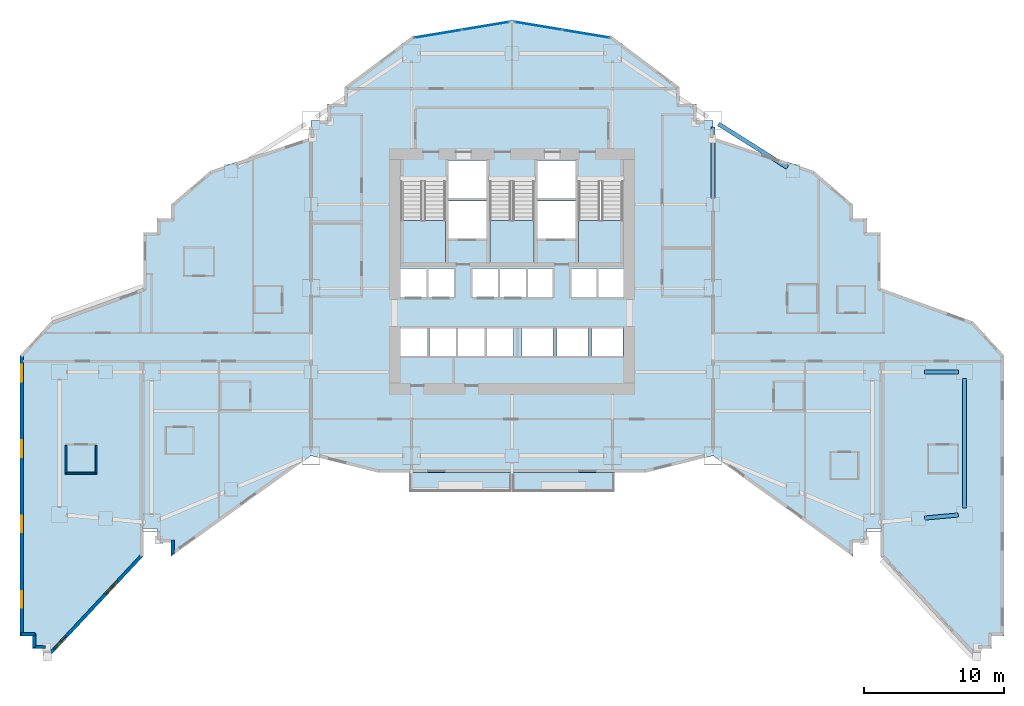
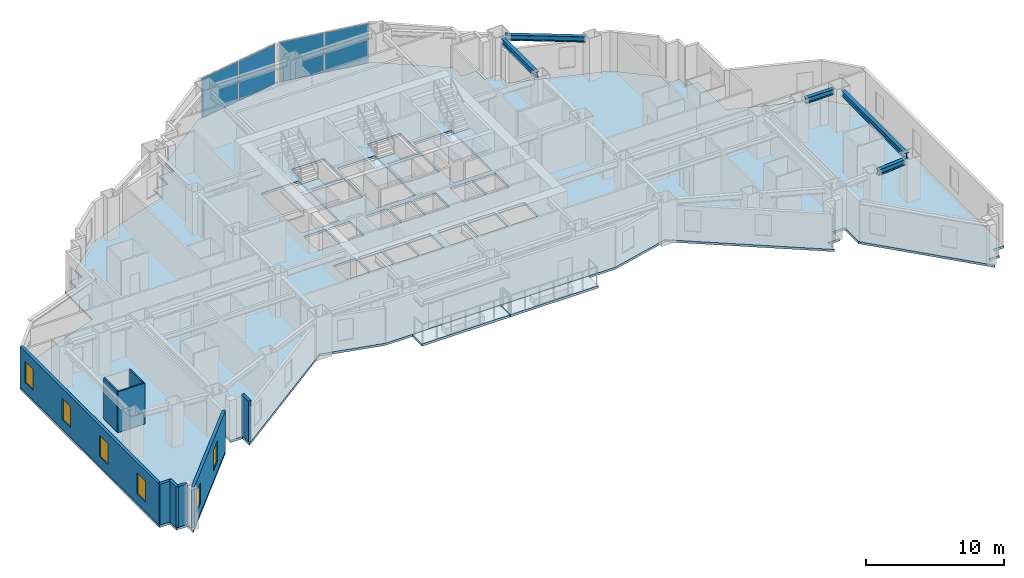
# One storey, part 6 of 17: 9 walls, 6 slabs, 6 windows, 5 beams, 4 plates, 6 openings, 5 elements without a shape of their own.
"""IFC4 building model written with IfcOpenShell, lengths in metres."""

from ifc_helpers import new_model, si_unit, direction, frame, frame_2d, origin, origin_2d, place, context, subcontext, project, spatial, polyline, rectangle, i_section, outline, extrude, material, layer, layer_set, material_profile, profile_set, type_object, element, fill, aggregate, save


model = new_model("IFC4")

# Units and contexts
model_context = context("Model", 3, precision=1e-05, world=origin(), true_north=direction((0.0, 1.0)))
body_context = subcontext(model_context, "Body", "Model", "MODEL_VIEW")
ifc_project = project(units=[si_unit("LENGTHUNIT", "METRE"), si_unit("AREAUNIT", "SQUARE_METRE"), si_unit("VOLUMEUNIT", "CUBIC_METRE"), si_unit("PLANEANGLEUNIT", "RADIAN"), si_unit("MASSUNIT", "GRAM", prefix="KILO")], contexts=[model_context])

# Site, building, storey
site_placement = place(None, origin())
site = spatial("IfcSite", under=ifc_project, at=site_placement, CompositionType="ELEMENT")
building_placement = place(site_placement, origin())
building = spatial("IfcBuilding", under=site, at=building_placement, Name="Haolan Belvedere Tower", CompositionType="ELEMENT")
storey_placement = place(building_placement, frame((0.0, 0.0, 27.800048828125)))
storey = spatial("IfcBuildingStorey", under=building, at=storey_placement, Name="L06", CompositionType="ELEMENT", Elevation=27.800048828125)

# Beams
ifc_material_1 = material(Name="Steel Q355B", Category="steel")
ifc_material_profile = material_profile(ifc_material_1, i_section(OverallWidth=0.300048828125, OverallDepth=0.488037109375, WebThickness=0.010986328125, FlangeThickness=0.01806640625, FilletRadius=0.02587890625, at=origin_2d()), Name="Steel Q355B")
ifc_profile_set = profile_set([ifc_material_profile], Name="Steel Q355B")
beam_type = type_object("IfcBeamType", Name="BM-HM488x300x11x18", PredefinedType="SPANDREL", material=ifc_profile_set)
beam_1_placement = place(storey_placement, frame((52.800048828125, 40.050048828125, 3.35595703125), z_axis=(0.0, 1.0, 0.0), x_axis=(-1.0, 0.0, 0.0)))
element("IfcBeam", 1, at=beam_1_placement, inside=storey, type_object=beam_type, Name="L06 spandrel girder TC-T3-E2-MC-T3-NE", PredefinedType="SPANDREL", context=body_context, shape_type="SweptSolid", body=[
    extrude(i_section(OverallWidth=0.300048828125, OverallDepth=0.488037109375, WebThickness=0.010986328125, FlangeThickness=0.01806640625, FilletRadius=0.02587890625, at=origin_2d()), origin(), (0.0, 0.0, 1.0), 5.099853515625),
])
beam_2_placement = place(storey_placement, frame((53.180419921875, 45.359619140625, 3.35595703125), z_axis=(0.845497840649, -0.533978839898, 0.0), x_axis=(0.533978839898, 0.845497840649, 0.0)))
element("IfcBeam", 2, at=beam_2_placement, inside=storey, type_object=beam_type, Name="L06 spandrel girder MC-T3-NE-TC-T4-N1", PredefinedType="SPANDREL", context=body_context, shape_type="SweptSolid", body=[
    extrude(i_section(OverallWidth=0.300048828125, OverallDepth=0.488037109375, WebThickness=0.010986328125, FlangeThickness=0.01806640625, FilletRadius=0.02587890625, at=origin_2d()), origin(), (0.0, 0.0, 1.0), 5.841796875),
])
beam_3_placement = place(storey_placement, frame((70.800048828125, 17.85009765625, 3.35595703125), z_axis=(0.0, 1.0, 0.0), x_axis=(-1.0, 0.0, 0.0)))
element("IfcBeam", 3, at=beam_3_placement, inside=storey, type_object=beam_type, Name="L06 spandrel girder MC-T5-SE-MC-T5-NE", PredefinedType="SPANDREL", context=body_context, shape_type="SweptSolid", body=[
    extrude(i_section(OverallWidth=0.300048828125, OverallDepth=0.488037109375, WebThickness=0.010986328125, FlangeThickness=0.01806640625, FilletRadius=0.02587890625, at=origin_2d()), origin(), (0.0, 0.0, 1.0), 9.2998046875),
])
beam_4_placement = place(storey_placement, frame((67.9482421875, 17.140625, 3.35595703125), z_axis=(0.995884080761, 0.090636072764, 0.0), x_axis=(-0.090636072764, 0.995884080761, 0.0)))
element("IfcBeam", 4, at=beam_4_placement, inside=storey, type_object=beam_type, Name="L06 spandrel girder TC-T5-M1-MC-T5-SE", PredefinedType="SPANDREL", context=body_context, shape_type="SweptSolid", body=[
    extrude(i_section(OverallWidth=0.300048828125, OverallDepth=0.488037109375, WebThickness=0.010986328125, FlangeThickness=0.01806640625, FilletRadius=0.02587890625, at=origin_2d()), origin(), (0.0, 0.0, 1.0), 2.41357421875),
])
beam_5_placement = place(storey_placement, frame((67.949951171875, 27.60009765625, 3.35595703125), z_axis=(1.0, 0.0, 0.0), x_axis=(0.0, 1.0, 0.0)))
element("IfcBeam", 5, at=beam_5_placement, inside=storey, type_object=beam_type, Name="L06 spandrel girder TC-T5-M2-MC-T5-NE", PredefinedType="SPANDREL", context=body_context, shape_type="SweptSolid", body=[
    extrude(i_section(OverallWidth=0.300048828125, OverallDepth=0.488037109375, WebThickness=0.010986328125, FlangeThickness=0.01806640625, FilletRadius=0.02587890625, at=origin_2d()), origin(), (0.0, 0.0, 1.0), 2.400146484375),
])

# Curtain wall, plates
ifc_material_2 = material(Name="Anodised champagne-silver aluminium 6063-T6 and Low-E glass", Category="aluminium")
ifc_layer_1 = layer(ifc_material_2, 0.1650390625, Name="Anodised champagne-silver aluminium 6063-T6 and Low-E glass")
ifc_layer_set_1 = layer_set([ifc_layer_1], Name="Anodised champagne-silver aluminium 6063-T6 and Low-E glass")
curtain_wall_type = type_object("IfcCurtainWallType", Name="CW-SYS-02", PredefinedType="NOTDEFINED", material=ifc_layer_set_1)
curtain_wall_1_placement = place(storey_placement, origin())
curtain_wall_1 = element("IfcCurtainWall", 6, at=curtain_wall_1_placement, inside=storey, type_object=curtain_wall_type, Name="L06 CW-SYS-02 ribbon curtain wall 42.1", PredefinedType="NOTDEFINED")
ifc_material_3 = material(Name="Double silver Low-E laminated insulating glass", Category="glass")
ifc_layer_2 = layer(ifc_material_3, 0.02587890625, Name="Double silver Low-E laminated insulating glass")
ifc_layer_set_2 = layer_set([ifc_layer_2], Name="Double silver Low-E laminated insulating glass")
plate_type = type_object("IfcPlateType", Name="CW-SYS-02-PNL", PredefinedType="CURTAIN_PANEL", material=ifc_layer_set_2)
plate_1_placement = place(storey_placement, frame((43.6796875, 51.79833984375, 0.05517578125), z_axis=(0.0, 0.0, 1.0), x_axis=(-0.9863931483, 0.16440364043, 0.0)))
plate_1 = element("IfcPlate", 7, at=plate_1_placement, type_object=plate_type, Name="CW-02 panel 1.1", PredefinedType="CURTAIN_PANEL", context=body_context, shape_type="SweptSolid", body=[
    extrude(rectangle(XDim=3.39501953125, YDim=0.02587890625, at=origin_2d()), origin(), (0.0, 0.0, 1.0), 3.489990234375),
])
plate_2_placement = place(storey_placement, frame((40.271728515625, 52.366455078125, 0.05517578125), z_axis=(0.0, 0.0, 1.0), x_axis=(-0.9863931483, 0.16440364043, 0.0)))
plate_2 = element("IfcPlate", 8, at=plate_2_placement, type_object=plate_type, Name="CW-02 panel 2.1", PredefinedType="CURTAIN_PANEL", context=body_context, shape_type="SweptSolid", body=[
    extrude(rectangle(XDim=3.39501953125, YDim=0.02587890625, at=origin_2d()), origin(), (0.0, 0.0, 1.0), 3.489990234375),
])
aggregate(curtain_wall_1, [plate_1, plate_2])

curtain_wall_2_placement = place(storey_placement, origin())
curtain_wall_2 = element("IfcCurtainWall", 9, at=curtain_wall_2_placement, inside=storey, type_object=curtain_wall_type, Name="L06 CW-SYS-02 ribbon curtain wall 43.1", PredefinedType="NOTDEFINED")
plate_3_placement = place(storey_placement, frame((36.5283203125, 52.366455078125, 0.05517578125), z_axis=(0.0, 0.0, 1.0), x_axis=(-0.9863931483, -0.16440364043, 0.0)))
plate_3 = element("IfcPlate", 10, at=plate_3_placement, type_object=plate_type, Name="CW-02 panel 1.1", PredefinedType="CURTAIN_PANEL", context=body_context, shape_type="SweptSolid", body=[
    extrude(rectangle(XDim=3.39501953125, YDim=0.02587890625, at=origin_2d()), origin(), (0.0, 0.0, 1.0), 3.489990234375),
])
plate_4_placement = place(storey_placement, frame((33.120361328125, 51.79833984375, 0.05517578125), z_axis=(0.0, 0.0, 1.0), x_axis=(-0.9863931483, -0.16440364043, 0.0)))
plate_4 = element("IfcPlate", 11, at=plate_4_placement, type_object=plate_type, Name="CW-02 panel 2.1", PredefinedType="CURTAIN_PANEL", context=body_context, shape_type="SweptSolid", body=[
    extrude(rectangle(XDim=3.39501953125, YDim=0.02587890625, at=origin_2d()), origin(), (0.0, 0.0, 1.0), 3.489990234375),
])
aggregate(curtain_wall_2, [plate_3, plate_4])

# Slabs
ifc_material_4 = material(Name="Concrete C40/50", Category="concrete")
ifc_layer_3 = layer(ifc_material_4, 0.2099609375, Name="Concrete C40/50")
ifc_layer_set_3 = layer_set([ifc_layer_3], Name="Concrete C40/50")
slab_type_1 = type_object("IfcSlabType", Name="SL-BAL-210", PredefinedType="FLOOR", material=ifc_layer_set_3)
slab_1_placement = place(storey_placement, frame((0.0, 0.0, -0.22998046875)))
element("IfcSlab", 12, at=slab_1_placement, inside=storey, type_object=slab_type_1, Name="L06 structural tree-planter balcony slab BAL-L06-S1", PredefinedType="FLOOR", context=body_context, shape_type="SweptSolid", body=[
    extrude(outline(polyline([(31.050048828125, 19.02001953125), (38.3798828125, 19.02001953125), (38.3798828125, 20.39990234375), (31.050048828125, 20.39990234375), (31.050048828125, 19.02001953125)])), origin(), (0.0, 0.0, 1.0), 0.2099609375),
])
slab_2_placement = place(storey_placement, frame((0.0, 0.0, -0.22998046875)))
element("IfcSlab", 13, at=slab_2_placement, inside=storey, type_object=slab_type_1, Name="L06 structural tree-planter balcony slab BAL-L06-S2", PredefinedType="FLOOR", context=body_context, shape_type="SweptSolid", body=[
    extrude(outline(polyline([(38.419921875, 19.02001953125), (45.75, 19.02001953125), (45.75, 20.39990234375), (38.419921875, 20.39990234375), (38.419921875, 19.02001953125)])), origin(), (0.0, 0.0, 1.0), 0.2099609375),
])
ifc_layer_4 = layer(ifc_material_4, 0.199951171875, Name="Concrete C40/50")
ifc_layer_set_4 = layer_set([ifc_layer_4], Name="Concrete C40/50")
slab_type_2 = type_object("IfcSlabType", Name="SL-FLR-200", PredefinedType="FLOOR", material=ifc_layer_set_4)
slab_3_placement = place(storey_placement, frame((0.0, 0.0, -0.199951171875)))
element("IfcSlab", 14, at=slab_3_placement, inside=storey, type_object=slab_type_2, Name="L06 structural floor slab", PredefinedType="FLOOR", context=body_context, shape_type="SweptSolid", body=[
    extrude(outline(polyline([(3.179931640625, 28.800048828125), (3.179931640625, 9.291015625), (3.179931640625, 8.69091796875), (4.080078125, 8.69091796875), (4.080078125, 7.791015625), (4.97998046875, 7.791015625), (4.97998046875, 6.89111328125), (12.0, 14.39990234375), (12.0, 16.39990234375), (13.0, 16.39990234375), (13.0, 15.39990234375), (14.0, 15.39990234375), (14.0, 14.39990234375), (24.0, 21.60009765625), (28.800048828125, 20.39990234375), (48.0, 20.39990234375), (52.800048828125, 21.60009765625), (62.800048828125, 14.39990234375), (62.800048828125, 15.39990234375), (63.800048828125, 15.39990234375), (63.800048828125, 16.39990234375), (64.800048828125, 16.39990234375), (64.800048828125, 14.39990234375), (71.820068359375, 6.89111328125), (71.820068359375, 7.791015625), (72.719970703125, 7.791015625), (72.719970703125, 8.69091796875), (73.6201171875, 8.69091796875), (73.6201171875, 28.800048828125), (71.419921875, 31.199951171875), (64.800048828125, 33.60009765625), (64.800048828125, 37.60009765625), (63.800048828125, 37.60009765625), (63.800048828125, 38.60009765625), (62.800048828125, 38.60009765625), (62.800048828125, 39.60009765625), (60.0, 42.0), (52.800048828125, 44.39990234375), (52.800048828125, 45.60009765625), (51.60009765625, 45.60009765625), (51.60009765625, 46.800048828125), (50.39990234375, 46.800048828125), (50.39990234375, 48.0), (45.60009765625, 51.60009765625), (38.39990234375, 52.800048828125), (31.199951171875, 51.60009765625), (26.39990234375, 48.0), (26.39990234375, 46.800048828125), (25.199951171875, 46.800048828125), (25.199951171875, 45.60009765625), (24.0, 45.60009765625), (24.0, 44.39990234375), (16.800048828125, 42.0), (14.0, 39.60009765625), (14.0, 38.60009765625), (13.0, 38.60009765625), (13.0, 37.60009765625), (12.0, 37.60009765625), (12.0, 33.60009765625), (5.3798828125, 31.199951171875), (3.179931640625, 28.800048828125)]), holes=[polyline([(30.449951171875, 41.22998046875), (30.449951171875, 35.449951171875), (33.6298828125, 35.449951171875), (33.6298828125, 41.22998046875), (30.449951171875, 41.22998046875)]), polyline([(36.81005859375, 41.22998046875), (36.81005859375, 35.449951171875), (39.989990234375, 35.449951171875), (39.989990234375, 41.22998046875), (36.81005859375, 41.22998046875)]), polyline([(43.169921875, 41.22998046875), (43.169921875, 35.449951171875), (46.35009765625, 35.449951171875), (46.35009765625, 41.22998046875), (43.169921875, 41.22998046875)]), polyline([(33.830078125, 40.050048828125), (36.610107421875, 40.050048828125), (36.610107421875, 42.75), (33.830078125, 42.75), (33.830078125, 40.050048828125)]), polyline([(33.830078125, 37.14990234375), (36.610107421875, 37.14990234375), (36.610107421875, 39.85009765625), (33.830078125, 39.85009765625), (33.830078125, 37.14990234375)]), polyline([(40.18994140625, 40.050048828125), (42.969970703125, 40.050048828125), (42.969970703125, 42.75), (40.18994140625, 42.75), (40.18994140625, 40.050048828125)]), polyline([(40.18994140625, 37.14990234375), (42.969970703125, 37.14990234375), (42.969970703125, 39.85009765625), (40.18994140625, 39.85009765625), (40.18994140625, 37.14990234375)]), polyline([(30.419921875, 32.949951171875), (32.27001953125, 32.949951171875), (32.27001953125, 35.0), (30.419921875, 35.0), (30.419921875, 32.949951171875)]), polyline([(32.409912109375, 32.949951171875), (34.260009765625, 32.949951171875), (34.260009765625, 35.0), (32.409912109375, 35.0), (32.409912109375, 32.949951171875)]), polyline([(35.56005859375, 32.949951171875), (37.409912109375, 32.949951171875), (37.409912109375, 35.0), (35.56005859375, 35.0), (35.56005859375, 32.949951171875)]), polyline([(37.550048828125, 32.949951171875), (39.39990234375, 32.949951171875), (39.39990234375, 35.0), (37.550048828125, 35.0), (37.550048828125, 32.949951171875)]), polyline([(39.5400390625, 32.949951171875), (41.389892578125, 32.949951171875), (41.389892578125, 35.0), (39.5400390625, 35.0), (39.5400390625, 32.949951171875)]), polyline([(42.6201171875, 32.949951171875), (44.469970703125, 32.949951171875), (44.469970703125, 35.0), (42.6201171875, 35.0), (42.6201171875, 32.949951171875)]), polyline([(44.580078125, 32.949951171875), (46.3798828125, 32.949951171875), (46.3798828125, 35.0), (44.580078125, 35.0), (44.580078125, 32.949951171875)]), polyline([(30.419921875, 28.75), (32.320068359375, 28.75), (32.320068359375, 30.75), (30.419921875, 30.75), (30.419921875, 28.75)]), polyline([(32.47998046875, 28.75), (34.3798828125, 28.75), (34.3798828125, 30.75), (32.47998046875, 30.75), (32.47998046875, 28.75)]), polyline([(34.5400390625, 28.75), (36.43994140625, 28.75), (36.43994140625, 30.75), (34.5400390625, 30.75), (34.5400390625, 28.75)]), polyline([(36.60009765625, 28.75), (38.5, 28.75), (38.5, 30.75), (36.60009765625, 30.75), (36.60009765625, 28.75)]), polyline([(39.10009765625, 28.75), (41.340087890625, 28.75), (41.340087890625, 30.75), (39.10009765625, 30.75), (39.10009765625, 28.75)]), polyline([(41.610107421875, 28.75), (43.85009765625, 28.75), (43.85009765625, 30.75), (41.610107421875, 30.75), (41.610107421875, 28.75)]), polyline([(44.1201171875, 28.75), (46.360107421875, 28.75), (46.360107421875, 30.75), (44.1201171875, 30.75), (44.1201171875, 28.75)])]), origin(), (0.0, 0.0, 1.0), 0.199951171875),
])

# Stair, slab
stair_type = type_object("IfcStairType", Name="STR-DL-22R-173", PredefinedType="HALF_TURN_STAIR", material=ifc_material_4)
stair_1_placement = place(storey_placement, origin())
stair_1 = element("IfcStair", 15, at=stair_1_placement, inside=storey, type_object=stair_type, Name="L06 Smokeproof Core Exit Stair ST1", PredefinedType="HALF_TURN_STAIR")
ifc_layer_5 = layer(ifc_material_4, 0.199951171875, Name="Concrete C40/50")
ifc_layer_set_5 = layer_set([ifc_layer_5], Name="Concrete C40/50")
slab_type_3 = type_object("IfcSlabType", Name="SL-LAND-200", PredefinedType="LANDING", material=ifc_layer_set_5)
slab_4_placement = place(storey_placement, frame((0.0, 0.0, 1.699951171875)))
slab_4 = element("IfcSlab", 16, at=slab_4_placement, type_object=slab_type_3, Name="ST1 landing 1", PredefinedType="LANDING", context=body_context, shape_type="SweptSolid", body=[
    extrude(outline(polyline([(30.449951171875, 38.429931640625), (30.449951171875, 35.449951171875), (33.6298828125, 35.449951171875), (33.6298828125, 38.429931640625), (30.449951171875, 38.429931640625)])), origin(), (0.0, 0.0, 1.0), 0.199951171875),
])
aggregate(stair_1, [slab_4])

stair_2_placement = place(storey_placement, origin())
stair_2 = element("IfcStair", 17, at=stair_2_placement, inside=storey, type_object=stair_type, Name="L06 Smokeproof Core Exit Stair ST3", PredefinedType="HALF_TURN_STAIR")
slab_5_placement = place(storey_placement, frame((0.0, 0.0, 1.699951171875)))
slab_5 = element("IfcSlab", 18, at=slab_5_placement, type_object=slab_type_3, Name="ST3 landing 1", PredefinedType="LANDING", context=body_context, shape_type="SweptSolid", body=[
    extrude(outline(polyline([(36.81005859375, 38.429931640625), (36.81005859375, 35.449951171875), (39.989990234375, 35.449951171875), (39.989990234375, 38.429931640625), (36.81005859375, 38.429931640625)])), origin(), (0.0, 0.0, 1.0), 0.199951171875),
])
aggregate(stair_2, [slab_5])

stair_3_placement = place(storey_placement, origin())
stair_3 = element("IfcStair", 19, at=stair_3_placement, inside=storey, type_object=stair_type, Name="L06 Smokeproof Core Exit Stair ST2", PredefinedType="HALF_TURN_STAIR")
slab_6_placement = place(storey_placement, frame((0.0, 0.0, 1.699951171875)))
slab_6 = element("IfcSlab", 20, at=slab_6_placement, type_object=slab_type_3, Name="ST2 landing 1", PredefinedType="LANDING", context=body_context, shape_type="SweptSolid", body=[
    extrude(outline(polyline([(43.169921875, 38.429931640625), (43.169921875, 35.449951171875), (46.35009765625, 35.449951171875), (46.35009765625, 38.429931640625), (43.169921875, 38.429931640625)])), origin(), (0.0, 0.0, 1.0), 0.199951171875),
])
aggregate(stair_3, [slab_6])

# Walls
ifc_material_5 = material(Name="Precast concrete C40/50", Category="concrete")
ifc_layer_6 = layer(ifc_material_5, 0.239990234375, Name="Precast concrete C40/50")
ifc_layer_set_6 = layer_set([ifc_layer_6], Name="Precast concrete C40/50")
wall_type_1 = type_object("IfcWallType", Name="WL-EXT-240", PredefinedType="SOLIDWALL", material=ifc_layer_set_6)
wall_1_placement = place(storey_placement, frame((3.2451171875, 8.81103515625, 0.0), z_axis=(0.0, 0.0, 1.0), x_axis=(1.0, 0.0, 0.0)))
element("IfcWall", 21, at=wall_1_placement, inside=storey, type_object=wall_type_1, Name="L06 pale-metal exterior spandrel wall 1.1", PredefinedType="SOLIDWALL", context=body_context, shape_type="SweptSolid", body=[
    extrude(rectangle(XDim=1.009765625, YDim=0.239990234375, at=frame_2d((0.5048828125, 0.0))), origin(), (0.0, 0.0, 1.0), 3.599853515625),
])
wall_2_placement = place(storey_placement, frame((4.199951171875, 8.865966796875, 0.0), z_axis=(0.0, 0.0, 1.0), x_axis=(0.0, -1.0, 0.0)))
element("IfcWall", 22, at=wall_2_placement, inside=storey, type_object=wall_type_1, Name="L06 pale-metal exterior spandrel wall 2.1", PredefinedType="SOLIDWALL", context=body_context, shape_type="SweptSolid", body=[
    extrude(rectangle(XDim=1.010009765625, YDim=0.239990234375, at=frame_2d((0.5048828125, 0.0))), origin(), (0.0, 0.0, 1.0), 3.599853515625),
])
wall_3_placement = place(storey_placement, frame((4.280029296875, 7.910888671875, 0.0), z_axis=(0.0, 0.0, 1.0), x_axis=(1.0, 0.0, 0.0)))
element("IfcWall", 23, at=wall_3_placement, inside=storey, type_object=wall_type_1, Name="L06 pale-metal exterior spandrel wall 3.1", PredefinedType="SOLIDWALL", context=body_context, shape_type="SweptSolid", body=[
    extrude(rectangle(XDim=0.73486328125, YDim=0.239990234375, at=frame_2d((0.367431640625, 0.0))), origin(), (0.0, 0.0, 1.0), 3.599853515625),
])

# Wall, openings, windows
wall_4_placement = place(storey_placement, frame((5.157958984375, 7.257080078125, 0.0), z_axis=(0.0, 0.0, 1.0), x_axis=(0.68291649943, 0.730496444075, 0.0)))
wall_4 = element("IfcWall", 24, at=wall_4_placement, inside=storey, type_object=wall_type_1, Name="L06 pale-metal exterior spandrel wall 5.1", PredefinedType="SOLIDWALL", context=body_context, shape_type="SweptSolid", body=[
    extrude(rectangle(XDim=9.89794921875, YDim=0.239990234375, at=frame_2d((4.948974609375, 0.0))), origin(), (0.0, 0.0, 1.0), 3.599853515625),
])
opening_1_placement = place(wall_4_placement, frame((0.699951171875, 0.0, 0.85009765625)))
opening_1 = element("IfcOpeningElement", 25, at=opening_1_placement, cuts=wall_4, Name="Opening W-01", PredefinedType="OPENING", context=body_context, shape_type="SweptSolid", body=[
    extrude(rectangle(XDim=1.199951171875, YDim=1.85009765625, at=frame_2d((0.60009765625, 0.925048828125))), frame((0.0, 0.1298828125, 0.0), z_axis=(0.0, -1.0, 0.0), x_axis=(1.0, 0.0, 0.0)), (0.0, 0.0, 1.0), 0.260009765625),
])
opening_2_placement = place(wall_4_placement, frame((6.10009765625, 0.0, 0.85009765625)))
opening_2 = element("IfcOpeningElement", 26, at=opening_2_placement, cuts=wall_4, Name="Opening W-01", PredefinedType="OPENING", context=body_context, shape_type="SweptSolid", body=[
    extrude(rectangle(XDim=1.199951171875, YDim=1.85009765625, at=frame_2d((0.60009765625, 0.925048828125))), frame((0.0, 0.1298828125, 0.0), z_axis=(0.0, -1.0, 0.0), x_axis=(1.0, 0.0, 0.0)), (0.0, 0.0, 1.0), 0.260009765625),
])
ifc_material_6 = material(Name="Anodised aluminium 6063-T6 and Low-E glass", Category="aluminium")
window_type = type_object("IfcWindowType", Name="WN-DECO-Z1", PartitioningType="SINGLE_PANEL", PredefinedType="WINDOW", material=ifc_material_6)
window_1_placement = place(opening_1_placement, origin())
window_1 = element("IfcWindow", 27, at=window_1_placement, inside=storey, type_object=window_type, Name="L06 Art Deco chevron window 1", OverallHeight=1.85009765625, OverallWidth=1.199951171875, PartitioningType="SINGLE_PANEL", PredefinedType="WINDOW", context=body_context, shape_type="SweptSolid", body=[
    extrude(rectangle(XDim=1.199951171875, YDim=1.85009765625, at=frame_2d((0.60009765625, 0.925048828125))), frame((0.0, 0.030029296875, 0.0), z_axis=(0.0, -1.0, 0.0), x_axis=(1.0, 0.0, 0.0)), (0.0, 0.0, 1.0), 0.06005859375),
])
fill(opening_1, window_1)
window_2_placement = place(opening_2_placement, origin())
window_2 = element("IfcWindow", 28, at=window_2_placement, inside=storey, type_object=window_type, Name="L06 Art Deco chevron window 2", OverallHeight=1.85009765625, OverallWidth=1.199951171875, PartitioningType="SINGLE_PANEL", PredefinedType="WINDOW", context=body_context, shape_type="SweptSolid", body=[
    extrude(rectangle(XDim=1.199951171875, YDim=1.85009765625, at=frame_2d((0.60009765625, 0.925048828125))), frame((0.0, 0.030029296875, 0.0), z_axis=(0.0, -1.0, 0.0), x_axis=(1.0, 0.0, 0.0)), (0.0, 0.0, 1.0), 0.06005859375),
])
fill(opening_2, window_2)

# Wall
wall_5_placement = place(storey_placement, frame((14.1201171875, 15.574951171875, 0.0), z_axis=(0.0, 0.0, 1.0), x_axis=(0.0, -1.0, 0.0)))
element("IfcWall", 29, at=wall_5_placement, inside=storey, type_object=wall_type_1, Name="L06 pale-metal exterior spandrel wall 10.1", PredefinedType="SOLIDWALL", context=body_context, shape_type="SweptSolid", body=[
    extrude(rectangle(XDim=0.99560546875, YDim=0.239990234375, at=frame_2d((0.497802734375, 0.0))), origin(), (0.0, 0.0, 1.0), 3.599853515625),
])

# Wall, openings, windows
wall_6_placement = place(storey_placement, frame((3.300048828125, 28.808349609375, 0.0), z_axis=(0.0, 0.0, 1.0), x_axis=(0.0, -1.0, 0.0)))
wall_6 = element("IfcWall", 30, at=wall_6_placement, inside=storey, type_object=wall_type_1, Name="L06 pale-metal exterior spandrel wall 59.1", PredefinedType="SOLIDWALL", context=body_context, shape_type="SweptSolid", body=[
    extrude(rectangle(XDim=20.05224609375, YDim=0.239990234375, at=frame_2d((10.026123046875, 0.0))), origin(), (0.0, 0.0, 1.0), 3.599853515625),
])
opening_3_placement = place(wall_6_placement, frame((0.699951171875, 0.0, 0.85009765625)))
opening_3 = element("IfcOpeningElement", 31, at=opening_3_placement, cuts=wall_6, Name="Opening W-01", PredefinedType="OPENING", context=body_context, shape_type="SweptSolid", body=[
    extrude(rectangle(XDim=1.199951171875, YDim=1.85009765625, at=frame_2d((0.60009765625, 0.925048828125))), frame((0.0, 0.1298828125, 0.0), z_axis=(0.0, -1.0, 0.0), x_axis=(1.0, 0.0, 0.0)), (0.0, 0.0, 1.0), 0.260009765625),
])
opening_4_placement = place(wall_6_placement, frame((6.10009765625, 0.0, 0.85009765625)))
opening_4 = element("IfcOpeningElement", 32, at=opening_4_placement, cuts=wall_6, Name="Opening W-01", PredefinedType="OPENING", context=body_context, shape_type="SweptSolid", body=[
    extrude(rectangle(XDim=1.199951171875, YDim=1.85009765625, at=frame_2d((0.60009765625, 0.925048828125))), frame((0.0, 0.1298828125, 0.0), z_axis=(0.0, -1.0, 0.0), x_axis=(1.0, 0.0, 0.0)), (0.0, 0.0, 1.0), 0.260009765625),
])
opening_5_placement = place(wall_6_placement, frame((11.5, 0.0, 0.85009765625)))
opening_5 = element("IfcOpeningElement", 33, at=opening_5_placement, cuts=wall_6, Name="Opening W-01", PredefinedType="OPENING", context=body_context, shape_type="SweptSolid", body=[
    extrude(rectangle(XDim=1.199951171875, YDim=1.85009765625, at=frame_2d((0.60009765625, 0.925048828125))), frame((0.0, 0.1298828125, 0.0), z_axis=(0.0, -1.0, 0.0), x_axis=(1.0, 0.0, 0.0)), (0.0, 0.0, 1.0), 0.260009765625),
])
opening_6_placement = place(wall_6_placement, frame((16.89990234375, 0.0, 0.85009765625)))
opening_6 = element("IfcOpeningElement", 34, at=opening_6_placement, cuts=wall_6, Name="Opening W-01", PredefinedType="OPENING", context=body_context, shape_type="SweptSolid", body=[
    extrude(rectangle(XDim=1.199951171875, YDim=1.85009765625, at=frame_2d((0.60009765625, 0.925048828125))), frame((0.0, 0.1298828125, 0.0), z_axis=(0.0, -1.0, 0.0), x_axis=(1.0, 0.0, 0.0)), (0.0, 0.0, 1.0), 0.260009765625),
])
window_3_placement = place(opening_3_placement, origin())
window_3 = element("IfcWindow", 35, at=window_3_placement, inside=storey, type_object=window_type, Name="L06 Art Deco chevron window 1", OverallHeight=1.85009765625, OverallWidth=1.199951171875, PartitioningType="SINGLE_PANEL", PredefinedType="WINDOW", context=body_context, shape_type="SweptSolid", body=[
    extrude(rectangle(XDim=1.199951171875, YDim=1.85009765625, at=frame_2d((0.60009765625, 0.925048828125))), frame((0.0, 0.030029296875, 0.0), z_axis=(0.0, -1.0, 0.0), x_axis=(1.0, 0.0, 0.0)), (0.0, 0.0, 1.0), 0.06005859375),
])
fill(opening_3, window_3)
window_4_placement = place(opening_4_placement, origin())
window_4 = element("IfcWindow", 36, at=window_4_placement, inside=storey, type_object=window_type, Name="L06 Art Deco chevron window 2", OverallHeight=1.85009765625, OverallWidth=1.199951171875, PartitioningType="SINGLE_PANEL", PredefinedType="WINDOW", context=body_context, shape_type="SweptSolid", body=[
    extrude(rectangle(XDim=1.199951171875, YDim=1.85009765625, at=frame_2d((0.60009765625, 0.925048828125))), frame((0.0, 0.030029296875, 0.0), z_axis=(0.0, -1.0, 0.0), x_axis=(1.0, 0.0, 0.0)), (0.0, 0.0, 1.0), 0.06005859375),
])
fill(opening_4, window_4)
window_5_placement = place(opening_5_placement, origin())
window_5 = element("IfcWindow", 37, at=window_5_placement, inside=storey, type_object=window_type, Name="L06 Art Deco chevron window 3", OverallHeight=1.85009765625, OverallWidth=1.199951171875, PartitioningType="SINGLE_PANEL", PredefinedType="WINDOW", context=body_context, shape_type="SweptSolid", body=[
    extrude(rectangle(XDim=1.199951171875, YDim=1.85009765625, at=frame_2d((0.60009765625, 0.925048828125))), frame((0.0, 0.030029296875, 0.0), z_axis=(0.0, -1.0, 0.0), x_axis=(1.0, 0.0, 0.0)), (0.0, 0.0, 1.0), 0.06005859375),
])
fill(opening_5, window_5)
window_6_placement = place(opening_6_placement, origin())
window_6 = element("IfcWindow", 38, at=window_6_placement, inside=storey, type_object=window_type, Name="L06 Art Deco chevron window 4", OverallHeight=1.85009765625, OverallWidth=1.199951171875, PartitioningType="SINGLE_PANEL", PredefinedType="WINDOW", context=body_context, shape_type="SweptSolid", body=[
    extrude(rectangle(XDim=1.199951171875, YDim=1.85009765625, at=frame_2d((0.60009765625, 0.925048828125))), frame((0.0, 0.030029296875, 0.0), z_axis=(0.0, -1.0, 0.0), x_axis=(1.0, 0.0, 0.0)), (0.0, 0.0, 1.0), 0.06005859375),
])
fill(opening_6, window_6)

# Walls
ifc_material_7 = material(Name="Moisture-resistant gypsum tile partition", Category="masonry")
ifc_layer_7 = layer(ifc_material_7, 0.1201171875, Name="Moisture-resistant gypsum tile partition")
ifc_layer_set_7 = layer_set([ifc_layer_7], Name="Moisture-resistant gypsum tile partition")
wall_type_2 = type_object("IfcWallType", Name="WL-WET-120", PredefinedType="PARTITIONING", material=ifc_layer_set_7)
wall_7_placement = place(storey_placement, frame((6.4130859375, 20.347900390625, 0.0), z_axis=(0.0, 0.0, 1.0), x_axis=(1.0, 0.0, 0.0)))
element("IfcWall", 39, at=wall_7_placement, inside=storey, type_object=wall_type_2, Name="L06 interior partition IW-L06-T1S1-BS", PredefinedType="PARTITIONING", context=body_context, shape_type="SweptSolid", body=[
    extrude(rectangle(XDim=2.27001953125, YDim=0.1201171875, at=frame_2d((1.135009765625, 0.0))), origin(), (0.0, 0.0, 1.0), 3.599853515625),
])
for number, where, z_axis, x_axis, name in (
    (40, (6.472900390625, 20.39306640625, 0.0), (0.0, 0.0, 1.0), (0.0, 1.0, 0.0), "L06 interior partition IW-L06-T1S1-BW"),
    (41, (8.623046875, 20.39306640625, 0.0), (0.0, 0.0, 1.0), (0.0, 1.0, 0.0), "L06 interior partition IW-L06-T1S1-BE"),
):
    element("IfcWall", number, at=place(storey_placement, frame(where, z_axis=z_axis, x_axis=x_axis)), inside=storey, type_object=wall_type_2, Name=name, PredefinedType="PARTITIONING", context=body_context, shape_type="SweptSolid", body=[
        extrude(rectangle(XDim=1.9599609375, YDim=0.1201171875, at=frame_2d((0.97998046875, 0.0))), origin(), (0.0, 0.0, 1.0), 3.599853515625),
    ])

save(model, "model.ifc")
